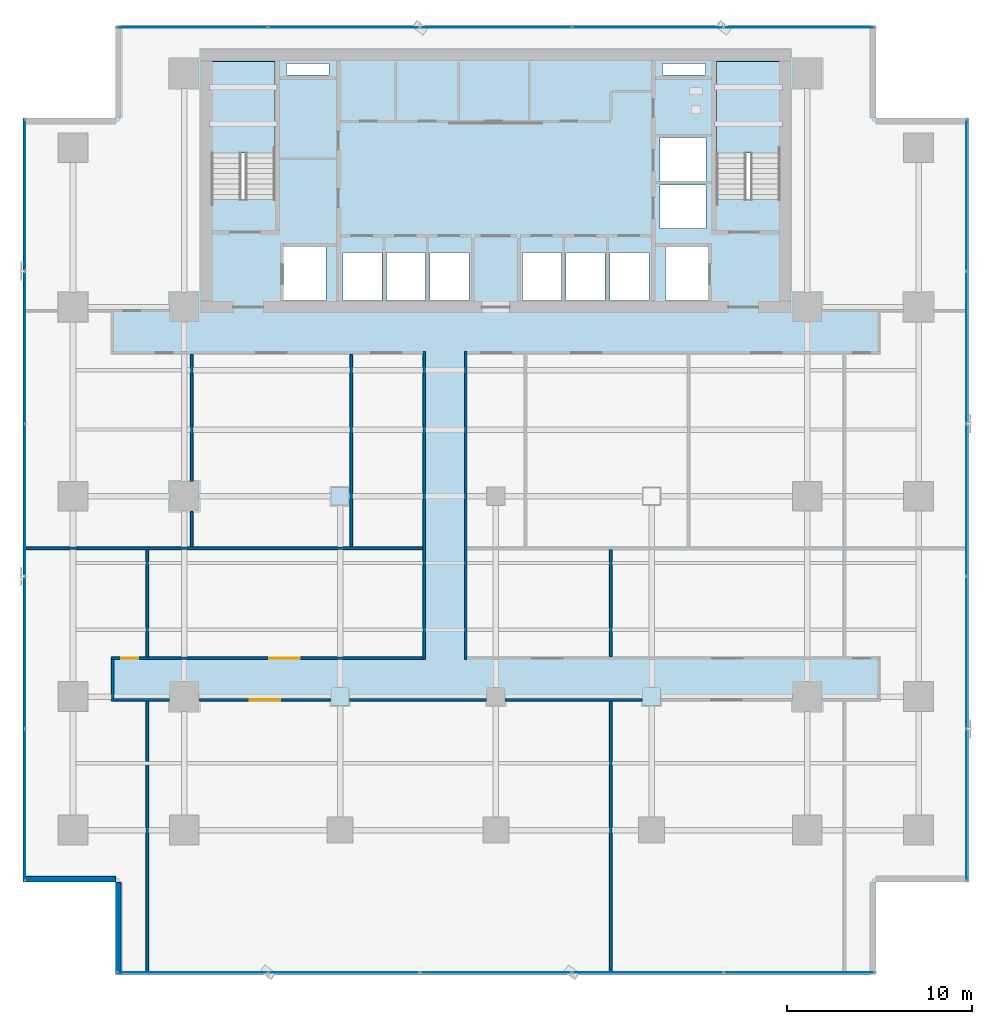
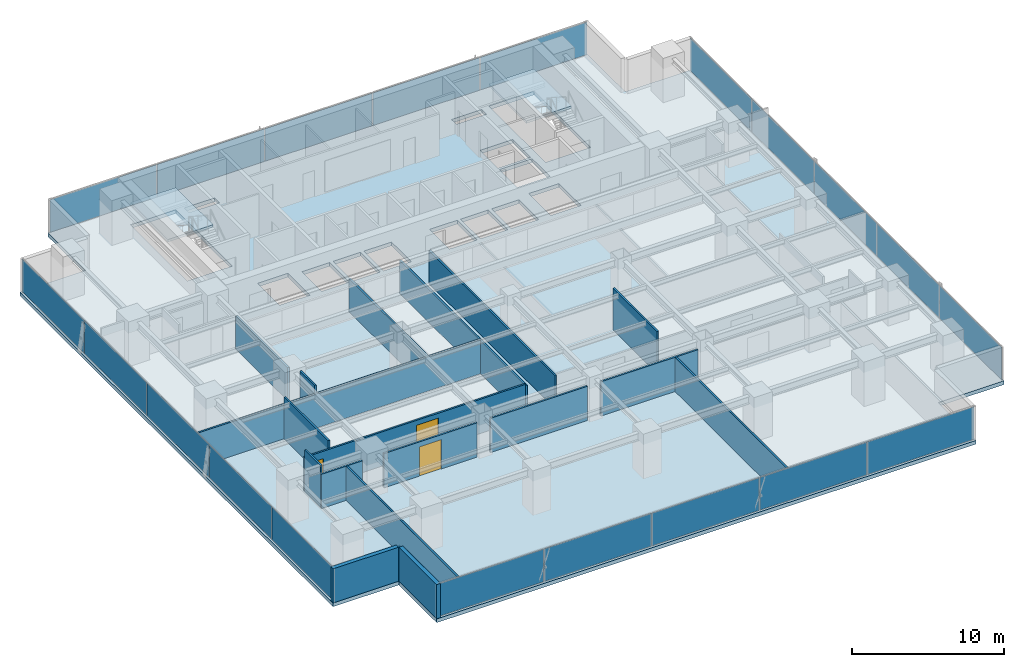
# One storey, part 27 of 36: 20 plates, 18 walls, 3 doors, 3 slabs, 3 openings, 6 elements without a shape of their own.
"""IFC4 building model written with IfcOpenShell, lengths in metres."""

from ifc_helpers import new_model, si_unit, direction, frame, frame_2d, origin, origin_2d, place, context, subcontext, project, spatial, polyline, rectangle, outline, extrude, source, transform, mapped, material, layer, layer_set, type_object, element, fill, aggregate, save


model = new_model("IFC4")

# Units and contexts
model_context = context("Model", 3, precision=1e-05, world=origin(), true_north=direction((0.0, 1.0)))
body_context = subcontext(model_context, "Body", "Model", "MODEL_VIEW")
ifc_project = project(units=[si_unit("LENGTHUNIT", "METRE"), si_unit("AREAUNIT", "SQUARE_METRE"), si_unit("VOLUMEUNIT", "CUBIC_METRE"), si_unit("PLANEANGLEUNIT", "RADIAN"), si_unit("MASSUNIT", "GRAM", prefix="KILO")], contexts=[model_context])

# Site, building, storey
site_placement = place(None, origin())
site = spatial("IfcSite", under=ifc_project, at=site_placement, CompositionType="ELEMENT")
building_placement = place(site_placement, origin())
building = spatial("IfcBuilding", under=site, at=building_placement, Name="Sumidabori Civic Tower", CompositionType="ELEMENT")
storey_placement = place(building_placement, frame((0.0, 0.0, 77.60009765625)))
storey = spatial("IfcBuildingStorey", under=building, at=storey_placement, Name="L19", CompositionType="ELEMENT", Elevation=77.60009765625)

# Stair, slab
ifc_material_1 = material(Name="Concrete C40/50", Category="concrete")
stair_type = type_object("IfcStairType", Name="ST-CORE-1600", PredefinedType="HALF_TURN_STAIR", material=ifc_material_1)
stair_1_placement = place(storey_placement, origin())
stair_1 = element("IfcStair", 1, at=stair_1_placement, inside=storey, type_object=stair_type, Name="L19 ST-1", PredefinedType="HALF_TURN_STAIR")
ifc_layer_1 = layer(ifc_material_1, 0.199951171875, Name="Concrete C40/50")
ifc_layer_set_1 = layer_set([ifc_layer_1], Name="Concrete C40/50")
slab_type_1 = type_object("IfcSlabType", Name="SL-LAND-200", PredefinedType="LANDING", material=ifc_layer_set_1)
slab_1_placement = place(storey_placement, frame((0.0, 0.0, 1.599853515625)))
slab_1 = element("IfcSlab", 2, at=slab_1_placement, type_object=slab_type_1, Name="ST-1 landing 1", PredefinedType="LANDING", context=body_context, shape_type="SweptSolid", body=[
    extrude(outline(polyline([(-11.89990234375, 18.52001953125), (-11.89990234375, 23.449951171875), (-15.340087890625, 23.449951171875), (-15.340087890625, 18.52001953125), (-11.89990234375, 18.52001953125)])), origin(), (0.0, 0.0, 1.0), 0.199951171875),
])
aggregate(stair_1, [slab_1])

stair_2_placement = place(storey_placement, origin())
stair_2 = element("IfcStair", 3, at=stair_2_placement, inside=storey, type_object=stair_type, Name="L19 ST-2", PredefinedType="HALF_TURN_STAIR")
slab_2_placement = place(storey_placement, frame((0.0, 0.0, 1.599853515625)))
slab_2 = element("IfcSlab", 4, at=slab_2_placement, type_object=slab_type_1, Name="ST-2 landing 1", PredefinedType="LANDING", context=body_context, shape_type="SweptSolid", body=[
    extrude(outline(polyline([(15.340087890625, 18.52001953125), (15.340087890625, 23.449951171875), (11.89990234375, 23.449951171875), (11.89990234375, 18.52001953125), (15.340087890625, 18.52001953125)])), origin(), (0.0, 0.0, 1.0), 0.199951171875),
])
aggregate(stair_2, [slab_2])

# Slab
ifc_layer_2 = layer(ifc_material_1, 0.300048828125, Name="Concrete C40/50")
ifc_layer_set_2 = layer_set([ifc_layer_2], Name="Concrete C40/50")
slab_type_2 = type_object("IfcSlabType", Name="SL-PRT-300", PredefinedType="FLOOR", material=ifc_layer_set_2)
slab_3_placement = place(storey_placement, frame((0.0, 0.0, -0.300048828125)))
element("IfcSlab", 5, at=slab_3_placement, inside=storey, type_object=slab_type_2, Name="Sky Lobby Structural Slab L19", PredefinedType="FLOOR", context=body_context, shape_type="SweptSolid", body=[
    extrude(outline(polyline([(-20.5, -25.800048828125), (20.5, -25.800048828125), (20.5, -20.800048828125), (25.5, -20.800048828125), (25.5, 20.39990234375), (20.5, 20.39990234375), (20.5, 25.39990234375), (-20.5, 25.39990234375), (-20.5, 20.39990234375), (-25.5, 20.39990234375), (-25.5, -20.800048828125), (-20.5, -20.800048828125), (-20.5, -25.800048828125)]), holes=[polyline([(-11.89990234375, 16.0), (-11.89990234375, 23.449951171875), (-15.340087890625, 23.449951171875), (-15.340087890625, 16.0), (-11.89990234375, 16.0)]), polyline([(15.340087890625, 16.0), (15.340087890625, 23.449951171875), (11.89990234375, 23.449951171875), (11.89990234375, 16.0), (15.340087890625, 16.0)]), polyline([(-11.449951171875, 10.550048828125), (-9.14990234375, 10.550048828125), (-9.14990234375, 13.449951171875), (-11.449951171875, 13.449951171875), (-11.449951171875, 10.550048828125)]), polyline([(9.14990234375, 10.550048828125), (11.449951171875, 10.550048828125), (11.449951171875, 13.449951171875), (9.14990234375, 13.449951171875), (9.14990234375, 10.550048828125)]), polyline([(-8.25, 10.550048828125), (-6.14990234375, 10.550048828125), (-6.14990234375, 13.14990234375), (-8.25, 13.14990234375), (-8.25, 10.550048828125)]), polyline([(-5.89990234375, 10.550048828125), (-3.800048828125, 10.550048828125), (-3.800048828125, 13.14990234375), (-5.89990234375, 13.14990234375), (-5.89990234375, 10.550048828125)]), polyline([(-3.550048828125, 10.550048828125), (-1.449951171875, 10.550048828125), (-1.449951171875, 13.14990234375), (-3.550048828125, 13.14990234375), (-3.550048828125, 10.550048828125)]), polyline([(1.449951171875, 10.550048828125), (3.550048828125, 10.550048828125), (3.550048828125, 13.14990234375), (1.449951171875, 13.14990234375), (1.449951171875, 10.550048828125)]), polyline([(3.800048828125, 10.550048828125), (5.89990234375, 10.550048828125), (5.89990234375, 13.14990234375), (3.800048828125, 13.14990234375), (3.800048828125, 10.550048828125)]), polyline([(6.14990234375, 10.550048828125), (8.25, 10.550048828125), (8.25, 13.14990234375), (6.14990234375, 13.14990234375), (6.14990234375, 10.550048828125)]), polyline([(8.85009765625, 14.449951171875), (11.35009765625, 14.449951171875), (11.35009765625, 16.800048828125), (8.85009765625, 16.800048828125), (8.85009765625, 14.449951171875)]), polyline([(8.85009765625, 17.0), (11.35009765625, 17.0), (11.35009765625, 19.35009765625), (8.85009765625, 19.35009765625), (8.85009765625, 17.0)]), polyline([(-11.300048828125, 22.719970703125), (-9.0, 22.719970703125), (-9.0, 23.35009765625), (-11.300048828125, 23.35009765625), (-11.300048828125, 22.719970703125)]), polyline([(9.0, 22.719970703125), (11.300048828125, 22.719970703125), (11.300048828125, 23.35009765625), (9.0, 23.35009765625), (9.0, 22.719970703125)])]), origin(), (0.0, 0.0, 1.0), 0.300048828125),
])

# Curtain wall, plates
ifc_material_2 = material(Name="Anodised Bronze Aluminium AW-6063-T6", Category="aluminium")
ifc_layer_3 = layer(ifc_material_2, 0.179931640625, Name="Anodised Bronze Aluminium AW-6063-T6")
ifc_layer_set_3 = layer_set([ifc_layer_3], Name="Anodised Bronze Aluminium AW-6063-T6")
curtain_wall_type = type_object("IfcCurtainWallType", Name="CW-SYS-3", PredefinedType="NOTDEFINED", material=ifc_layer_set_3)
curtain_wall_1_placement = place(storey_placement, origin())
curtain_wall_1 = element("IfcCurtainWall", 6, at=curtain_wall_1_placement, inside=storey, type_object=curtain_wall_type, Name="Curtain Wall CW:L19:R01", PredefinedType="NOTDEFINED")
ifc_material_3 = material(Name="Low-E Solar-Control Vision Glazing", Category="glass")
ifc_layer_4 = layer(ifc_material_3, 0.028076171875, Name="Low-E Solar-Control Vision Glazing")
ifc_layer_set_4 = layer_set([ifc_layer_4], Name="Low-E Solar-Control Vision Glazing")
plate_type = type_object("IfcPlateType", Name="CW-PNL-28", PredefinedType="CURTAIN_PANEL", material=ifc_layer_set_4)
shared_shape_1 = source(origin(), body_context, "Body", "SweptSolid", [
    extrude(rectangle(XDim=8.090576171875, YDim=0.028076171875, at=origin_2d()), origin(), (0.0, 0.0, 1.0), 2.6201171875),
])
plate_1_placement = place(storey_placement, frame((-16.35986328125, -25.679931640625, 0.059814453125), z_axis=(0.0, 0.0, 1.0), x_axis=(1.0, 0.0, 0.0)))
plate_1 = element("IfcPlate", 7, at=plate_1_placement, type_object=plate_type, Name="CW-3 panel 1.1", PredefinedType="CURTAIN_PANEL", context=body_context, shape_type="MappedRepresentation", body=[
    mapped(shared_shape_1, transform((0.0, 0.0, 0.0), x_axis=(1.0, 0.0, 0.0), y_axis=(0.0, 1.0, 0.0), z_axis=(0.0, 0.0, 1.0), scale=1.0)),
])
plate_2_placement = place(storey_placement, frame((16.35986328125, -25.679931640625, 0.059814453125), z_axis=(0.0, 0.0, 1.0), x_axis=(1.0, 0.0, 0.0)))
plate_2 = element("IfcPlate", 8, at=plate_2_placement, type_object=plate_type, Name="CW-3 panel 5.1", PredefinedType="CURTAIN_PANEL", context=body_context, shape_type="MappedRepresentation", body=[
    mapped(shared_shape_1, transform((0.0, 0.0, 0.0), x_axis=(1.0, 0.0, 0.0), y_axis=(0.0, 1.0, 0.0), z_axis=(0.0, 0.0, 1.0), scale=1.0)),
])

curtain_wall_2_placement = place(storey_placement, origin())
curtain_wall_2 = element("IfcCurtainWall", 9, at=curtain_wall_2_placement, inside=storey, type_object=curtain_wall_type, Name="Curtain Wall CW:L19:R07", PredefinedType="NOTDEFINED")
plate_3_placement = place(storey_placement, frame((16.35986328125, 25.280029296875, 0.059814453125), z_axis=(0.0, 0.0, 1.0), x_axis=(-1.0, 0.0, 0.0)))
plate_3 = element("IfcPlate", 10, at=plate_3_placement, type_object=plate_type, Name="CW-3 panel 1.1", PredefinedType="CURTAIN_PANEL", context=body_context, shape_type="MappedRepresentation", body=[
    mapped(shared_shape_1, transform((0.0, 0.0, 0.0), x_axis=(1.0, 0.0, 0.0), y_axis=(0.0, 1.0, 0.0), z_axis=(0.0, 0.0, 1.0), scale=1.0)),
])
plate_4_placement = place(storey_placement, frame((-16.35986328125, 25.280029296875, 0.059814453125), z_axis=(0.0, 0.0, 1.0), x_axis=(-1.0, 0.0, 0.0)))
plate_4 = element("IfcPlate", 11, at=plate_4_placement, type_object=plate_type, Name="CW-3 panel 5.1", PredefinedType="CURTAIN_PANEL", context=body_context, shape_type="MappedRepresentation", body=[
    mapped(shared_shape_1, transform((0.0, 0.0, 0.0), x_axis=(1.0, 0.0, 0.0), y_axis=(0.0, 1.0, 0.0), z_axis=(0.0, 0.0, 1.0), scale=1.0)),
])

# Plate
shared_shape_2 = source(origin(), body_context, "Body", "SweptSolid", [
    extrude(rectangle(XDim=8.123046875, YDim=0.028076171875, at=origin_2d()), origin(), (0.0, 0.0, 1.0), 2.6201171875),
])
plate_5_placement = place(storey_placement, frame((-8.18798828125, -25.679931640625, 0.059814453125), z_axis=(0.0, 0.0, 1.0), x_axis=(1.0, 0.0, 0.0)))
plate_5 = element("IfcPlate", 12, at=plate_5_placement, type_object=plate_type, Name="CW-3 panel 2.1", PredefinedType="CURTAIN_PANEL", context=body_context, shape_type="MappedRepresentation", body=[
    mapped(shared_shape_2, transform((0.0, 0.0, 0.0), x_axis=(1.0, 0.0, 0.0), y_axis=(0.0, 1.0, 0.0), z_axis=(0.0, 0.0, 1.0), scale=1.0)),
])

plate_6_placement = place(storey_placement, frame((0.0, -25.679931640625, 0.059814453125), z_axis=(0.0, 0.0, 1.0), x_axis=(1.0, 0.0, 0.0)))
plate_6 = element("IfcPlate", 13, at=plate_6_placement, type_object=plate_type, Name="CW-3 panel 3.1", PredefinedType="CURTAIN_PANEL", context=body_context, shape_type="MappedRepresentation", body=[
    mapped(shared_shape_2, transform((0.0, 0.0, 0.0), x_axis=(1.0, 0.0, 0.0), y_axis=(0.0, 1.0, 0.0), z_axis=(0.0, 0.0, 1.0), scale=1.0)),
])

plate_7_placement = place(storey_placement, frame((8.18798828125, -25.679931640625, 0.059814453125), z_axis=(0.0, 0.0, 1.0), x_axis=(1.0, 0.0, 0.0)))
plate_7 = element("IfcPlate", 14, at=plate_7_placement, type_object=plate_type, Name="CW-3 panel 4.1", PredefinedType="CURTAIN_PANEL", context=body_context, shape_type="MappedRepresentation", body=[
    mapped(shared_shape_2, transform((0.0, 0.0, 0.0), x_axis=(1.0, 0.0, 0.0), y_axis=(0.0, 1.0, 0.0), z_axis=(0.0, 0.0, 1.0), scale=1.0)),
])

aggregate(curtain_wall_1, [plate_1, plate_5, plate_6, plate_7, plate_2])

plate_8_placement = place(storey_placement, frame((8.18798828125, 25.280029296875, 0.059814453125), z_axis=(0.0, 0.0, 1.0), x_axis=(-1.0, 0.0, 0.0)))
plate_8 = element("IfcPlate", 15, at=plate_8_placement, type_object=plate_type, Name="CW-3 panel 2.1", PredefinedType="CURTAIN_PANEL", context=body_context, shape_type="MappedRepresentation", body=[
    mapped(shared_shape_2, transform((0.0, 0.0, 0.0), x_axis=(1.0, 0.0, 0.0), y_axis=(0.0, 1.0, 0.0), z_axis=(0.0, 0.0, 1.0), scale=1.0)),
])

plate_9_placement = place(storey_placement, frame((0.0, 25.280029296875, 0.059814453125), z_axis=(0.0, 0.0, 1.0), x_axis=(-1.0, 0.0, 0.0)))
plate_9 = element("IfcPlate", 16, at=plate_9_placement, type_object=plate_type, Name="CW-3 panel 3.1", PredefinedType="CURTAIN_PANEL", context=body_context, shape_type="MappedRepresentation", body=[
    mapped(shared_shape_2, transform((0.0, 0.0, 0.0), x_axis=(1.0, 0.0, 0.0), y_axis=(0.0, 1.0, 0.0), z_axis=(0.0, 0.0, 1.0), scale=1.0)),
])

plate_10_placement = place(storey_placement, frame((-8.18798828125, 25.280029296875, 0.059814453125), z_axis=(0.0, 0.0, 1.0), x_axis=(-1.0, 0.0, 0.0)))
plate_10 = element("IfcPlate", 17, at=plate_10_placement, type_object=plate_type, Name="CW-3 panel 4.1", PredefinedType="CURTAIN_PANEL", context=body_context, shape_type="MappedRepresentation", body=[
    mapped(shared_shape_2, transform((0.0, 0.0, 0.0), x_axis=(1.0, 0.0, 0.0), y_axis=(0.0, 1.0, 0.0), z_axis=(0.0, 0.0, 1.0), scale=1.0)),
])

aggregate(curtain_wall_2, [plate_3, plate_8, plate_9, plate_10, plate_4])

# Curtain wall, plates
curtain_wall_3_placement = place(storey_placement, origin())
curtain_wall_3 = element("IfcCurtainWall", 18, at=curtain_wall_3_placement, inside=storey, type_object=curtain_wall_type, Name="Curtain Wall CW:L19:R04", PredefinedType="NOTDEFINED")
shared_shape_3 = source(origin(), body_context, "Body", "SweptSolid", [
    extrude(rectangle(XDim=8.130615234375, YDim=0.028076171875, at=origin_2d()), origin(), (0.0, 0.0, 1.0), 2.6201171875),
])
plate_11_placement = place(storey_placement, frame((25.3798828125, -16.6396484375, 0.059814453125), z_axis=(0.0, 0.0, 1.0), x_axis=(0.0, 1.0, 0.0)))
plate_11 = element("IfcPlate", 19, at=plate_11_placement, type_object=plate_type, Name="CW-3 panel 1.1", PredefinedType="CURTAIN_PANEL", context=body_context, shape_type="MappedRepresentation", body=[
    mapped(shared_shape_3, transform((0.0, 0.0, 0.0), x_axis=(1.0, 0.0, 0.0), y_axis=(0.0, 1.0, 0.0), z_axis=(0.0, 0.0, 1.0), scale=1.0)),
])
plate_12_placement = place(storey_placement, frame((25.3798828125, 16.23974609375, 0.059814453125), z_axis=(0.0, 0.0, 1.0), x_axis=(0.0, 1.0, 0.0)))
plate_12 = element("IfcPlate", 20, at=plate_12_placement, type_object=plate_type, Name="CW-3 panel 5.1", PredefinedType="CURTAIN_PANEL", context=body_context, shape_type="MappedRepresentation", body=[
    mapped(shared_shape_3, transform((0.0, 0.0, 0.0), x_axis=(1.0, 0.0, 0.0), y_axis=(0.0, 1.0, 0.0), z_axis=(0.0, 0.0, 1.0), scale=1.0)),
])

curtain_wall_4_placement = place(storey_placement, origin())
curtain_wall_4 = element("IfcCurtainWall", 21, at=curtain_wall_4_placement, inside=storey, type_object=curtain_wall_type, Name="Curtain Wall CW:L19:R10", PredefinedType="NOTDEFINED")
plate_13_placement = place(storey_placement, frame((-25.3798828125, 16.23974609375, 0.059814453125), z_axis=(0.0, 0.0, 1.0), x_axis=(0.0, -1.0, 0.0)))
plate_13 = element("IfcPlate", 22, at=plate_13_placement, type_object=plate_type, Name="CW-3 panel 1.1", PredefinedType="CURTAIN_PANEL", context=body_context, shape_type="MappedRepresentation", body=[
    mapped(shared_shape_3, transform((0.0, 0.0, 0.0), x_axis=(1.0, 0.0, 0.0), y_axis=(0.0, 1.0, 0.0), z_axis=(0.0, 0.0, 1.0), scale=1.0)),
])
plate_14_placement = place(storey_placement, frame((-25.3798828125, -16.6396484375, 0.059814453125), z_axis=(0.0, 0.0, 1.0), x_axis=(0.0, -1.0, 0.0)))
plate_14 = element("IfcPlate", 23, at=plate_14_placement, type_object=plate_type, Name="CW-3 panel 5.1", PredefinedType="CURTAIN_PANEL", context=body_context, shape_type="MappedRepresentation", body=[
    mapped(shared_shape_3, transform((0.0, 0.0, 0.0), x_axis=(1.0, 0.0, 0.0), y_axis=(0.0, 1.0, 0.0), z_axis=(0.0, 0.0, 1.0), scale=1.0)),
])

# Plate
shared_shape_4 = source(origin(), body_context, "Body", "SweptSolid", [
    extrude(rectangle(XDim=8.1630859375, YDim=0.028076171875, at=origin_2d()), origin(), (0.0, 0.0, 1.0), 2.6201171875),
])
plate_15_placement = place(storey_placement, frame((25.3798828125, -8.427978515625, 0.059814453125), z_axis=(0.0, 0.0, 1.0), x_axis=(0.0, 1.0, 0.0)))
plate_15 = element("IfcPlate", 24, at=plate_15_placement, type_object=plate_type, Name="CW-3 panel 2.1", PredefinedType="CURTAIN_PANEL", context=body_context, shape_type="MappedRepresentation", body=[
    mapped(shared_shape_4, transform((0.0, 0.0, 0.0), x_axis=(1.0, 0.0, 0.0), y_axis=(0.0, 1.0, 0.0), z_axis=(0.0, 0.0, 1.0), scale=1.0)),
])

plate_16_placement = place(storey_placement, frame((25.3798828125, -0.199951171875, 0.059814453125), z_axis=(0.0, 0.0, 1.0), x_axis=(0.0, 1.0, 0.0)))
plate_16 = element("IfcPlate", 25, at=plate_16_placement, type_object=plate_type, Name="CW-3 panel 3.1", PredefinedType="CURTAIN_PANEL", context=body_context, shape_type="MappedRepresentation", body=[
    mapped(shared_shape_4, transform((0.0, 0.0, 0.0), x_axis=(1.0, 0.0, 0.0), y_axis=(0.0, 1.0, 0.0), z_axis=(0.0, 0.0, 1.0), scale=1.0)),
])

plate_17_placement = place(storey_placement, frame((25.3798828125, 8.028076171875, 0.059814453125), z_axis=(0.0, 0.0, 1.0), x_axis=(0.0, 1.0, 0.0)))
plate_17 = element("IfcPlate", 26, at=plate_17_placement, type_object=plate_type, Name="CW-3 panel 4.1", PredefinedType="CURTAIN_PANEL", context=body_context, shape_type="MappedRepresentation", body=[
    mapped(shared_shape_4, transform((0.0, 0.0, 0.0), x_axis=(1.0, 0.0, 0.0), y_axis=(0.0, 1.0, 0.0), z_axis=(0.0, 0.0, 1.0), scale=1.0)),
])

aggregate(curtain_wall_3, [plate_11, plate_15, plate_16, plate_17, plate_12])

plate_18_placement = place(storey_placement, frame((-25.3798828125, 8.028076171875, 0.059814453125), z_axis=(0.0, 0.0, 1.0), x_axis=(0.0, -1.0, 0.0)))
plate_18 = element("IfcPlate", 27, at=plate_18_placement, type_object=plate_type, Name="CW-3 panel 2.1", PredefinedType="CURTAIN_PANEL", context=body_context, shape_type="MappedRepresentation", body=[
    mapped(shared_shape_4, transform((0.0, 0.0, 0.0), x_axis=(1.0, 0.0, 0.0), y_axis=(0.0, 1.0, 0.0), z_axis=(0.0, 0.0, 1.0), scale=1.0)),
])

plate_19_placement = place(storey_placement, frame((-25.3798828125, -0.199951171875, 0.059814453125), z_axis=(0.0, 0.0, 1.0), x_axis=(0.0, -1.0, 0.0)))
plate_19 = element("IfcPlate", 28, at=plate_19_placement, type_object=plate_type, Name="CW-3 panel 3.1", PredefinedType="CURTAIN_PANEL", context=body_context, shape_type="MappedRepresentation", body=[
    mapped(shared_shape_4, transform((0.0, 0.0, 0.0), x_axis=(1.0, 0.0, 0.0), y_axis=(0.0, 1.0, 0.0), z_axis=(0.0, 0.0, 1.0), scale=1.0)),
])

plate_20_placement = place(storey_placement, frame((-25.3798828125, -8.427978515625, 0.059814453125), z_axis=(0.0, 0.0, 1.0), x_axis=(0.0, -1.0, 0.0)))
plate_20 = element("IfcPlate", 29, at=plate_20_placement, type_object=plate_type, Name="CW-3 panel 4.1", PredefinedType="CURTAIN_PANEL", context=body_context, shape_type="MappedRepresentation", body=[
    mapped(shared_shape_4, transform((0.0, 0.0, 0.0), x_axis=(1.0, 0.0, 0.0), y_axis=(0.0, 1.0, 0.0), z_axis=(0.0, 0.0, 1.0), scale=1.0)),
])

aggregate(curtain_wall_4, [plate_13, plate_18, plate_19, plate_20, plate_14])

# Walls
ifc_material_4 = material(Name="Precast concrete C40/50", Category="concrete")
ifc_layer_5 = layer(ifc_material_4, 0.300048828125, Name="Precast concrete C40/50")
ifc_layer_set_5 = layer_set([ifc_layer_5], Name="Precast concrete C40/50")
wall_type_1 = type_object("IfcWallType", Name="WL-EXT-POD300", PredefinedType="STANDARD", material=ifc_layer_set_5)
shared_shape_5 = source(origin(), body_context, "Body", "SweptSolid", [
    extrude(rectangle(XDim=4.9599609375, YDim=0.300048828125, at=frame_2d((2.47998046875, 0.0))), origin(), (0.0, 0.0, 1.0), 2.739990234375),
])
for number, where, z_axis, x_axis, name in (
    (30, (-25.47998046875, -20.64990234375, 0.0), (0.0, 0.0, 1.0), (1.0, 0.0, 0.0), "Notched Corner Spandrel Band L19-11"),
    (31, (-20.35009765625, -20.820068359375, 0.0), (0.0, 0.0, 1.0), (0.0, -1.0, 0.0), "Notched Corner Spandrel Band L19-12"),
):
    element("IfcWall", number, at=place(storey_placement, frame(where, z_axis=z_axis, x_axis=x_axis)), inside=storey, type_object=wall_type_1, Name=name, PredefinedType="STANDARD", context=body_context, shape_type="MappedRepresentation", body=[
        mapped(shared_shape_5, transform((0.0, 0.0, 0.0), x_axis=(1.0, 0.0, 0.0), y_axis=(0.0, 1.0, 0.0), z_axis=(0.0, 0.0, 1.0), scale=1.0)),
    ])

# Wall, openings, doors
ifc_material_5 = material(Name="Gypsum Plasterboard Acoustic Partition")
ifc_layer_6 = layer(ifc_material_5, 0.135009765625, Name="Gypsum Plasterboard Acoustic Partition")
ifc_layer_set_6 = layer_set([ifc_layer_6], Name="Gypsum Plasterboard Acoustic Partition")
wall_type_2 = type_object("IfcWallType", Name="WL-PART-135", PredefinedType="PARTITIONING", material=ifc_layer_set_6)
shared_shape_6 = source(origin(), body_context, "Body", "SweptSolid", [
    extrude(rectangle(XDim=16.800048828125, YDim=0.135009765625, at=frame_2d((8.39990234375, 0.0))), origin(), (0.0, 0.0, 1.0), 2.744873046875),
])
wall_1_placement = place(storey_placement, frame((-20.735107421875, -8.732421875, 0.0), z_axis=(0.0, 0.0, 1.0), x_axis=(1.0, 0.0, 0.0)))
wall_1 = element("IfcWall", 32, at=wall_1_placement, inside=storey, type_object=wall_type_2, Name="Interior Partition WL:L19:CORR-MNW", PredefinedType="PARTITIONING", context=body_context, shape_type="MappedRepresentation", body=[
    mapped(shared_shape_6, transform((0.0, 0.0, 0.0), x_axis=(1.0, 0.0, 0.0), y_axis=(0.0, 1.0, 0.0), z_axis=(0.0, 0.0, 1.0), scale=1.0)),
])
opening_1_placement = place(wall_1_placement, frame((8.51611328125, 0.0, 0.0)))
opening_1 = element("IfcOpeningElement", 33, at=opening_1_placement, cuts=wall_1, Name="Opening DR-6", PredefinedType="OPENING", context=body_context, shape_type="SweptSolid", body=[
    extrude(rectangle(XDim=1.64990234375, YDim=2.35009765625, at=frame_2d((0.824951171875, 1.175048828125))), frame((0.0, 0.07958984375, 0.0), z_axis=(0.0, -1.0, 0.0), x_axis=(1.0, 0.0, 0.0)), (0.0, 0.0, 1.0), 0.158935546875),
])
opening_2_placement = place(wall_1_placement, frame((0.543701171875, 0.0, 0.0)))
opening_2 = element("IfcOpeningElement", 34, at=opening_2_placement, cuts=wall_1, Name="Opening DR-1", PredefinedType="OPENING", context=body_context, shape_type="SweptSolid", body=[
    extrude(rectangle(XDim=0.89990234375, YDim=2.14990234375, at=frame_2d((0.449951171875, 1.074951171875))), frame((0.0, 0.07958984375, 0.0), z_axis=(0.0, -1.0, 0.0), x_axis=(1.0, 0.0, 0.0)), (0.0, 0.0, 1.0), 0.158935546875),
])
ifc_material_6 = material(Name="Japanese Hinoki Timber", Category="wood")
door_type_1 = type_object("IfcDoorType", Name="DR-INT-900", OperationType="NOTDEFINED", PredefinedType="DOOR", material=ifc_material_6)
shared_shape_7 = source(origin(), body_context, "Body", "SweptSolid", [
    extrude(rectangle(XDim=0.89990234375, YDim=2.14990234375, at=frame_2d((0.449951171875, 1.074951171875))), frame((0.0, 0.02490234375, 0.0), z_axis=(0.0, -1.0, 0.0), x_axis=(1.0, 0.0, 0.0)), (0.0, 0.0, 1.0), 0.050048828125),
])
door_1_placement = place(opening_2_placement, origin())
door_1 = element("IfcDoor", 35, at=door_1_placement, inside=storey, type_object=door_type_1, Name="Door DR:L19:D12", OperationType="SINGLE_SWING_RIGHT", OverallHeight=2.14990234375, OverallWidth=0.89990234375, PredefinedType="DOOR", context=body_context, shape_type="MappedRepresentation", body=[
    mapped(shared_shape_7, transform((0.0, 0.0, 0.0), x_axis=(1.0, 0.0, 0.0), y_axis=(0.0, 1.0, 0.0), z_axis=(0.0, 0.0, 1.0), scale=1.0)),
])
fill(opening_2, door_1)
door_type_2 = type_object("IfcDoorType", Name="DR-DBL-1650", OperationType="DOUBLE_DOOR_SINGLE_SWING", PredefinedType="DOOR", material=ifc_material_2)
shared_shape_8 = source(origin(), body_context, "Body", "SweptSolid", [
    extrude(rectangle(XDim=1.64990234375, YDim=2.35009765625, at=frame_2d((0.824951171875, 1.175048828125))), frame((0.0, 0.02490234375, 0.0), z_axis=(0.0, -1.0, 0.0), x_axis=(1.0, 0.0, 0.0)), (0.0, 0.0, 1.0), 0.050048828125),
])
door_2_placement = place(opening_1_placement, origin())
door_2 = element("IfcDoor", 36, at=door_2_placement, inside=storey, type_object=door_type_2, Name="Door DR:L19:D09", OperationType="DOUBLE_DOOR_SINGLE_SWING", OverallHeight=2.35009765625, OverallWidth=1.64990234375, PredefinedType="DOOR", context=body_context, shape_type="MappedRepresentation", body=[
    mapped(shared_shape_8, transform((0.0, 0.0, 0.0), x_axis=(1.0, 0.0, 0.0), y_axis=(0.0, 1.0, 0.0), z_axis=(0.0, 0.0, 1.0), scale=1.0)),
])
fill(opening_1, door_2)

# Wall
shared_shape_9 = source(origin(), body_context, "Body", "SweptSolid", [
    extrude(rectangle(XDim=3.125, YDim=0.135009765625, at=frame_2d((1.5625, 0.0))), origin(), (0.0, 0.0, 1.0), 2.744873046875),
])
wall_2_placement = place(storey_placement, frame((-20.735107421875, -10.967529296875, 0.0), z_axis=(0.0, 0.0, 1.0), x_axis=(1.0, 0.0, 0.0)))
element("IfcWall", 37, at=wall_2_placement, inside=storey, type_object=wall_type_2, Name="Interior Partition WL:L19:CORR-SS-1", PredefinedType="PARTITIONING", context=body_context, shape_type="MappedRepresentation", body=[
    mapped(shared_shape_9, transform((0.0, 0.0, 0.0), x_axis=(1.0, 0.0, 0.0), y_axis=(0.0, 1.0, 0.0), z_axis=(0.0, 0.0, 1.0), scale=1.0)),
])

# Wall, opening, door
shared_shape_10 = source(origin(), body_context, "Body", "SweptSolid", [
    extrude(rectangle(XDim=7.080078125, YDim=0.135009765625, at=frame_2d((3.5400390625, 0.0))), origin(), (0.0, 0.0, 1.0), 2.744873046875),
])
wall_3_placement = place(storey_placement, frame((-15.989990234375, -10.967529296875, 0.0), z_axis=(0.0, 0.0, 1.0), x_axis=(1.0, 0.0, 0.0)))
wall_3 = element("IfcWall", 38, at=wall_3_placement, inside=storey, type_object=wall_type_2, Name="Interior Partition WL:L19:CORR-SS-2", PredefinedType="PARTITIONING", context=body_context, shape_type="MappedRepresentation", body=[
    mapped(shared_shape_10, transform((0.0, 0.0, 0.0), x_axis=(1.0, 0.0, 0.0), y_axis=(0.0, 1.0, 0.0), z_axis=(0.0, 0.0, 1.0), scale=1.0)),
])
opening_3_placement = place(wall_3_placement, frame((2.715087890625, 0.0, 0.0)))
opening_3 = element("IfcOpeningElement", 39, at=opening_3_placement, cuts=wall_3, Name="Opening DR-6", PredefinedType="OPENING", context=body_context, shape_type="SweptSolid", body=[
    extrude(rectangle(XDim=1.64990234375, YDim=2.35009765625, at=frame_2d((0.824951171875, 1.175048828125))), frame((0.0, 0.07958984375, 0.0), z_axis=(0.0, -1.0, 0.0), x_axis=(1.0, 0.0, 0.0)), (0.0, 0.0, 1.0), 0.158935546875),
])
door_3_placement = place(opening_3_placement, origin())
door_3 = element("IfcDoor", 40, at=door_3_placement, inside=storey, type_object=door_type_2, Name="Door DR:L19:D14", OperationType="DOUBLE_DOOR_SINGLE_SWING", OverallHeight=2.35009765625, OverallWidth=1.64990234375, PredefinedType="DOOR", context=body_context, shape_type="MappedRepresentation", body=[
    mapped(shared_shape_8, transform((0.0, 0.0, 0.0), x_axis=(1.0, 0.0, 0.0), y_axis=(0.0, 1.0, 0.0), z_axis=(0.0, 0.0, 1.0), scale=1.0)),
])
fill(opening_3, door_3)

# Walls
shared_shape_11 = source(origin(), body_context, "Body", "SweptSolid", [
    extrude(rectangle(XDim=7.3798828125, YDim=0.135009765625, at=frame_2d((3.68994140625, 0.0))), origin(), (0.0, 0.0, 1.0), 2.744873046875),
])
for number, where, z_axis, x_axis, name in (
    (41, (-7.889892578125, -10.967529296875, 0.0), (0.0, 0.0, 1.0), (1.0, 0.0, 0.0), "Interior Partition WL:L19:CORR-SS-3"),
    (42, (0.510009765625, -10.967529296875, 0.0), (0.0, 0.0, 1.0), (1.0, 0.0, 0.0), "Interior Partition WL:L19:CORR-SS-4"),
):
    element("IfcWall", number, at=place(storey_placement, frame(where, z_axis=z_axis, x_axis=x_axis)), inside=storey, type_object=wall_type_2, Name=name, PredefinedType="PARTITIONING", context=body_context, shape_type="MappedRepresentation", body=[
        mapped(shared_shape_11, transform((0.0, 0.0, 0.0), x_axis=(1.0, 0.0, 0.0), y_axis=(0.0, 1.0, 0.0), z_axis=(0.0, 0.0, 1.0), scale=1.0)),
    ])
shared_shape_12 = source(origin(), body_context, "Body", "SweptSolid", [
    extrude(rectangle(XDim=16.60009765625, YDim=0.135009765625, at=frame_2d((8.300048828125, 0.0))), origin(), (0.0, 0.0, 1.0), 2.64501953125),
])
for number, where, z_axis, x_axis, name in (
    (43, (-3.867431640625, -8.800048828125, 0.0), (0.0, 0.0, 1.0), (0.0, 1.0, 0.0), "Interior Partition WL:L19:CORR-VSP-W"),
    (44, (-1.632568359375, -8.800048828125, 0.0), (0.0, 0.0, 1.0), (0.0, 1.0, 0.0), "Interior Partition WL:L19:CORR-VSP-E"),
):
    element("IfcWall", number, at=place(storey_placement, frame(where, z_axis=z_axis, x_axis=x_axis)), inside=storey, type_object=wall_type_2, Name=name, PredefinedType="PARTITIONING", context=body_context, shape_type="MappedRepresentation", body=[
        mapped(shared_shape_12, transform((0.0, 0.0, 0.0), x_axis=(1.0, 0.0, 0.0), y_axis=(0.0, 1.0, 0.0), z_axis=(0.0, 0.0, 1.0), scale=1.0)),
    ])
shared_shape_13 = source(origin(), body_context, "Body", "SweptSolid", [
    extrude(rectangle(XDim=2.090087890625, YDim=0.135009765625, at=frame_2d((1.044921875, 0.0))), origin(), (0.0, 0.0, 1.0), 3.35986328125),
])
wall_4_placement = place(storey_placement, frame((-20.66748046875, -10.89501953125, 0.0), z_axis=(0.0, 0.0, 1.0), x_axis=(0.0, 1.0, 0.0)))
element("IfcWall", 45, at=wall_4_placement, inside=storey, type_object=wall_type_2, Name="Interior Partition WL:L19:CORR-VSW", PredefinedType="PARTITIONING", context=body_context, shape_type="MappedRepresentation", body=[
    mapped(shared_shape_13, transform((0.0, 0.0, 0.0), x_axis=(1.0, 0.0, 0.0), y_axis=(0.0, 1.0, 0.0), z_axis=(0.0, 0.0, 1.0), scale=1.0)),
])
shared_shape_14 = source(origin(), body_context, "Body", "SweptSolid", [
    extrude(rectangle(XDim=21.41015625, YDim=0.135009765625, at=frame_2d((10.705078125, 0.0))), origin(), (0.0, 0.0, 1.0), 2.744873046875),
])
wall_5_placement = place(storey_placement, frame((-25.35009765625, -2.800048828125, 0.0), z_axis=(0.0, 0.0, 1.0), x_axis=(1.0, 0.0, 0.0)))
element("IfcWall", 46, at=wall_5_placement, inside=storey, type_object=wall_type_2, Name="Interior Partition WL:L19:BAND-Y-1", PredefinedType="PARTITIONING", context=body_context, shape_type="MappedRepresentation", body=[
    mapped(shared_shape_14, transform((0.0, 0.0, 0.0), x_axis=(1.0, 0.0, 0.0), y_axis=(0.0, 1.0, 0.0), z_axis=(0.0, 0.0, 1.0), scale=1.0)),
])
shared_shape_15 = source(origin(), body_context, "Body", "SweptSolid", [
    extrude(rectangle(XDim=1.91748046875, YDim=0.135009765625, at=frame_2d((0.958740234375, 0.0))), origin(), (0.0, 0.0, 1.0), 3.35986328125),
])
wall_6_placement = place(storey_placement, frame((-16.39990234375, -2.7275390625, 0.0), z_axis=(0.0, 0.0, 1.0), x_axis=(0.0, 1.0, 0.0)))
element("IfcWall", 47, at=wall_6_placement, inside=storey, type_object=wall_type_2, Name="Interior Partition WL:L19:VX-N1-1", PredefinedType="PARTITIONING", context=body_context, shape_type="MappedRepresentation", body=[
    mapped(shared_shape_15, transform((0.0, 0.0, 0.0), x_axis=(1.0, 0.0, 0.0), y_axis=(0.0, 1.0, 0.0), z_axis=(0.0, 0.0, 1.0), scale=1.0)),
])
shared_shape_16 = source(origin(), body_context, "Body", "SweptSolid", [
    extrude(rectangle(XDim=6.849853515625, YDim=0.135009765625, at=frame_2d((3.4248046875, 0.0))), origin(), (0.0, 0.0, 1.0), 2.64501953125),
])
wall_7_placement = place(storey_placement, frame((-16.39990234375, 0.81005859375, 0.0), z_axis=(0.0, 0.0, 1.0), x_axis=(0.0, 1.0, 0.0)))
element("IfcWall", 48, at=wall_7_placement, inside=storey, type_object=wall_type_2, Name="Interior Partition WL:L19:VX-N1-2", PredefinedType="PARTITIONING", context=body_context, shape_type="MappedRepresentation", body=[
    mapped(shared_shape_16, transform((0.0, 0.0, 0.0), x_axis=(1.0, 0.0, 0.0), y_axis=(0.0, 1.0, 0.0), z_axis=(0.0, 0.0, 1.0), scale=1.0)),
])
shared_shape_17 = source(origin(), body_context, "Body", "SweptSolid", [
    extrude(rectangle(XDim=10.387451171875, YDim=0.135009765625, at=frame_2d((5.19384765625, 0.0))), origin(), (0.0, 0.0, 1.0), 2.64501953125),
])
wall_8_placement = place(storey_placement, frame((-7.800048828125, -2.7275390625, 0.0), z_axis=(0.0, 0.0, 1.0), x_axis=(0.0, 1.0, 0.0)))
element("IfcWall", 49, at=wall_8_placement, inside=storey, type_object=wall_type_2, Name="Interior Partition WL:L19:VX-N2", PredefinedType="PARTITIONING", context=body_context, shape_type="MappedRepresentation", body=[
    mapped(shared_shape_17, transform((0.0, 0.0, 0.0), x_axis=(1.0, 0.0, 0.0), y_axis=(0.0, 1.0, 0.0), z_axis=(0.0, 0.0, 1.0), scale=1.0)),
])
shared_shape_18 = source(origin(), body_context, "Body", "SweptSolid", [
    extrude(rectangle(XDim=14.60986328125, YDim=0.135009765625, at=frame_2d((7.304931640625, 0.0))), origin(), (0.0, 0.0, 1.0), 2.744873046875),
])
for number, where, z_axis, x_axis, name in (
    (50, (-18.800048828125, -25.64990234375, 0.0), (0.0, 0.0, 1.0), (0.0, 1.0, 0.0), "Interior Partition WL:L19:VX-S1-1"),
    (51, (6.199951171875, -25.64990234375, 0.0), (0.0, 0.0, 1.0), (0.0, 1.0, 0.0), "Interior Partition WL:L19:VX-S2-1"),
):
    element("IfcWall", number, at=place(storey_placement, frame(where, z_axis=z_axis, x_axis=x_axis)), inside=storey, type_object=wall_type_2, Name=name, PredefinedType="PARTITIONING", context=body_context, shape_type="MappedRepresentation", body=[
        mapped(shared_shape_18, transform((0.0, 0.0, 0.0), x_axis=(1.0, 0.0, 0.0), y_axis=(0.0, 1.0, 0.0), z_axis=(0.0, 0.0, 1.0), scale=1.0)),
    ])
shared_shape_19 = source(origin(), body_context, "Body", "SweptSolid", [
    extrude(rectangle(XDim=5.787353515625, YDim=0.135009765625, at=frame_2d((2.8935546875, 0.0))), origin(), (0.0, 0.0, 1.0), 3.35986328125),
])
for number, where, z_axis, x_axis, name in (
    (52, (-18.800048828125, -8.659912109375, 0.0), (0.0, 0.0, 1.0), (0.0, 1.0, 0.0), "Interior Partition WL:L19:VX-S1-2"),
    (53, (6.199951171875, -8.659912109375, 0.0), (0.0, 0.0, 1.0), (0.0, 1.0, 0.0), "Interior Partition WL:L19:VX-S2-2"),
):
    element("IfcWall", number, at=place(storey_placement, frame(where, z_axis=z_axis, x_axis=x_axis)), inside=storey, type_object=wall_type_2, Name=name, PredefinedType="PARTITIONING", context=body_context, shape_type="MappedRepresentation", body=[
        mapped(shared_shape_19, transform((0.0, 0.0, 0.0), x_axis=(1.0, 0.0, 0.0), y_axis=(0.0, 1.0, 0.0), z_axis=(0.0, 0.0, 1.0), scale=1.0)),
    ])

save(model, "model.ifc")
